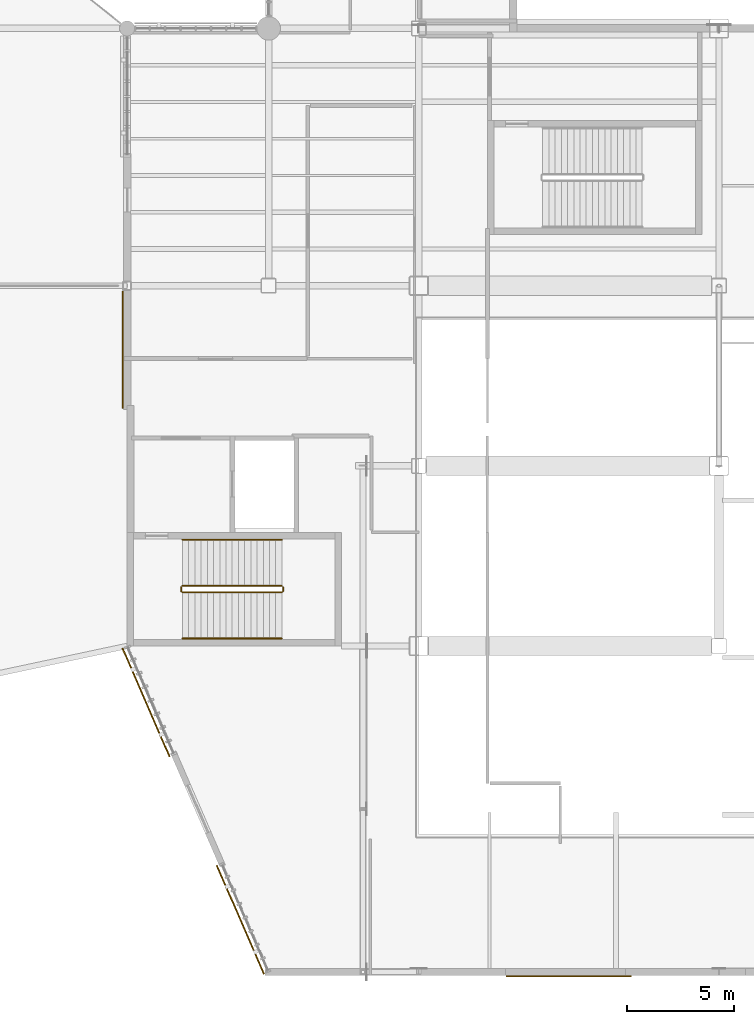
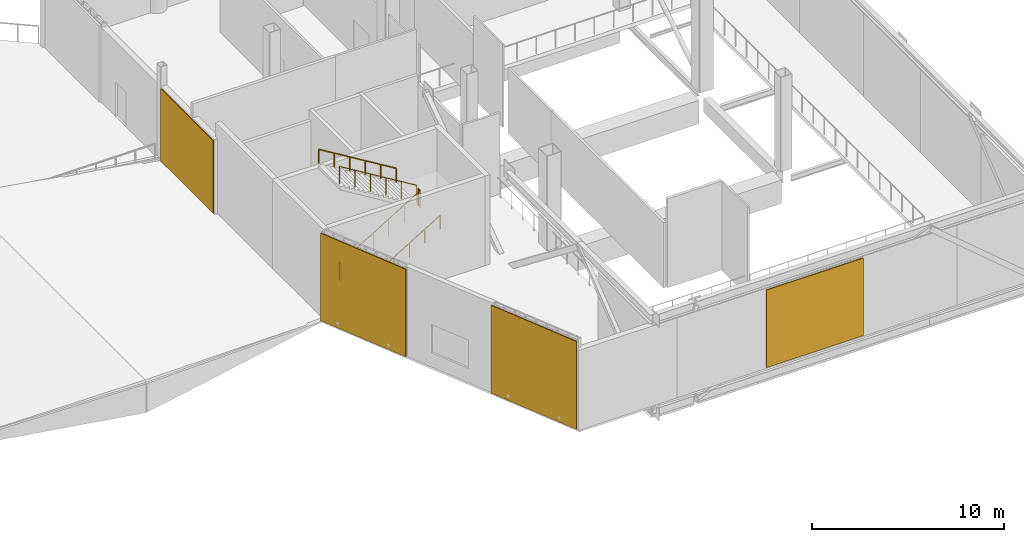
# One storey, part 125 of 135: 6 railings, 2 coverings, 2 shading devices.
"""IFC4 building model written with IfcOpenShell, lengths in metres."""

from ifc_helpers import new_model, si_unit, direction, frame, origin, origin_2d, place, context, subcontext, project, spatial, rectangle, circle, extrude, material, layer, layer_set, type_object, element, save


model = new_model("IFC4")

# Units and contexts
model_context = context("Model", 3, precision=1e-05, world=origin(), true_north=direction((0.0, 1.0)))
body_context = subcontext(model_context, "Body", "Model", "MODEL_VIEW")
ifc_project = project(units=[si_unit("LENGTHUNIT", "METRE"), si_unit("AREAUNIT", "SQUARE_METRE"), si_unit("VOLUMEUNIT", "CUBIC_METRE"), si_unit("PLANEANGLEUNIT", "RADIAN"), si_unit("MASSUNIT", "GRAM", prefix="KILO")], contexts=[model_context])

# Site, building, storey
site_placement = place(None, origin())
site = spatial("IfcSite", under=ifc_project, at=site_placement, CompositionType="ELEMENT")
building_placement = place(site_placement, origin())
building = spatial("IfcBuilding", under=site, at=building_placement, Name="Larkvane Passage Sports Hall", CompositionType="ELEMENT")
storey_placement = place(building_placement, frame((0.0, 0.0, 10.800048828125)))
storey = spatial("IfcBuildingStorey", under=building, at=storey_placement, Name="L02", CompositionType="ELEMENT", Elevation=10.800048828125)

# Coverings
ifc_material_1 = material(Name="Perforated anodised aluminium 5052-H32", Category="aluminium")
ifc_layer_1 = layer(ifc_material_1, 0.050048828125)
ifc_layer_set_1 = layer_set([ifc_layer_1], Name="Perforated anodised aluminium 5052-H32")
covering_type = type_object("IfcCoveringType", Name="COV-MESH-VEIL", PredefinedType="CLADDING", material=ifc_layer_set_1)
covering_1_placement = place(storey_placement, frame((138.60009765625, 7.402587890625, 0.0751953125), z_axis=(0.0, 0.0, 1.0), x_axis=(-1.0, 0.0, 0.0)))
element("IfcCovering", 1, at=covering_1_placement, inside=storey, type_object=covering_type, Name="Perforated cladding cassette L02-128", PredefinedType="CLADDING", context=body_context, shape_type="SweptSolid", body=[
    extrude(rectangle(XDim=5.831298828125, YDim=0.050048828125, at=origin_2d()), origin(), (0.0, 0.0, 1.0), 4.929931640625),
])
covering_2_placement = place(storey_placement, frame((117.802490234375, 36.619140625, 0.074951171875), z_axis=(0.0, 0.0, 1.0), x_axis=(0.0, 1.0, 0.0)))
element("IfcCovering", 2, at=covering_2_placement, inside=storey, type_object=covering_type, Name="Perforated cladding cassette L02-132", PredefinedType="CLADDING", context=body_context, shape_type="SweptSolid", body=[
    extrude(rectangle(XDim=5.469482421875, YDim=0.050048828125, at=origin_2d()), origin(), (0.0, 0.0, 1.0), 4.60791015625),
])

# Railings
ifc_material_2 = material(Name="Steel S355JR", Category="steel")
railing_type_1 = type_object("IfcRailingType", Name="RL-GUARD-1120", PredefinedType="GUARDRAIL", material=ifc_material_2)
railing_1_placement = place(storey_placement, frame((120.580078125, 25.300048828125, 0.176513671875)))
element("IfcRailing", 3, at=railing_1_placement, inside=storey, type_object=railing_type_1, Name="L02 ST-05 stair guard 1", PredefinedType="GUARDRAIL", context=body_context, shape_type="SweptSolid", body=[
    extrude(circle(Radius=0.02392578125, at=origin_2d()), frame((0.001708984375, 0.0, 1.09716796875), z_axis=(0.854263648073, 0.0, 0.51983999421), x_axis=(0.0, 1.0, 0.0)), (0.0, 0.0, 1.0), 5.427490234375),
    extrude(circle(Radius=0.02099609375, at=origin_2d()), origin(), (0.0, 0.0, 1.0), 1.072021484375),
    extrude(circle(Radius=0.02099609375, at=origin_2d()), frame((0.927978515625, 0.0, 0.564697265625)), (0.0, 0.0, 1.0), 1.072021484375),
    extrude(circle(Radius=0.02099609375, at=origin_2d()), frame((1.85595703125, 0.0, 1.12939453125)), (0.0, 0.0, 1.0), 1.072021484375),
    extrude(circle(Radius=0.02099609375, at=origin_2d()), frame((2.783935546875, 0.0, 1.694091796875)), (0.0, 0.0, 1.0), 1.072021484375),
    extrude(circle(Radius=0.02099609375, at=origin_2d()), frame((3.7119140625, 0.0, 2.2587890625)), (0.0, 0.0, 1.0), 1.072021484375),
    extrude(circle(Radius=0.02099609375, at=origin_2d()), frame((4.639892578125, 0.0, 2.823486328125)), (0.0, 0.0, 1.0), 1.072021484375),
])
railing_2_placement = place(storey_placement, frame((125.27001953125, 25.35009765625, 3.0)))
element("IfcRailing", 4, at=railing_2_placement, inside=storey, type_object=railing_type_1, Name="L02 ST-05 stair guard 2", PredefinedType="GUARDRAIL", context=body_context, shape_type="SweptSolid", body=[
    extrude(circle(Radius=0.02392578125, at=origin_2d()), frame((0.0, 0.001953125, 1.09619140625), z_axis=(0.0, 1.0, 0.0), x_axis=(-1.0, 0.0, 0.0)), (0.0, 0.0, 1.0), 0.196044921875),
    extrude(circle(Radius=0.02099609375, at=origin_2d()), origin(), (0.0, 0.0, 1.0), 1.072021484375),
    extrude(circle(Radius=0.02099609375, at=origin_2d()), frame((0.0, 0.199951171875, 0.0)), (0.0, 0.0, 1.0), 1.072021484375),
])
railing_3_placement = place(storey_placement, frame((125.219970703125, 25.60009765625, 3.176513671875)))
element("IfcRailing", 5, at=railing_3_placement, inside=storey, type_object=railing_type_1, Name="L02 ST-05 stair guard 3", PredefinedType="GUARDRAIL", context=body_context, shape_type="SweptSolid", body=[
    extrude(circle(Radius=0.02392578125, at=origin_2d()), frame((-0.001708984375, 0.0, 1.09716796875), z_axis=(-0.854263648073, 0.0, 0.51983999421), x_axis=(0.0, -1.0, 0.0)), (0.0, 0.0, 1.0), 5.427490234375),
    extrude(circle(Radius=0.02099609375, at=origin_2d()), origin(), (0.0, 0.0, 1.0), 1.072021484375),
    extrude(circle(Radius=0.02099609375, at=origin_2d()), frame((-0.927978515625, 0.0, 0.564697265625)), (0.0, 0.0, 1.0), 1.072021484375),
    extrude(circle(Radius=0.02099609375, at=origin_2d()), frame((-1.85595703125, 0.0, 1.12939453125)), (0.0, 0.0, 1.0), 1.072021484375),
    extrude(circle(Radius=0.02099609375, at=origin_2d()), frame((-2.783935546875, 0.0, 1.694091796875)), (0.0, 0.0, 1.0), 1.072021484375),
    extrude(circle(Radius=0.02099609375, at=origin_2d()), frame((-3.7119140625, 0.0, 2.2587890625)), (0.0, 0.0, 1.0), 1.072021484375),
    extrude(circle(Radius=0.02099609375, at=origin_2d()), frame((-4.639892578125, 0.0, 2.823486328125)), (0.0, 0.0, 1.0), 1.072021484375),
])
railing_4_placement = place(storey_placement, frame((120.530029296875, 25.35009765625, 0.0)))
element("IfcRailing", 6, at=railing_4_placement, inside=storey, type_object=railing_type_1, Name="L02 ST-05 stair guard 4", PredefinedType="GUARDRAIL", context=body_context, shape_type="SweptSolid", body=[
    extrude(circle(Radius=0.02392578125, at=origin_2d()), frame((0.0, 0.001953125, 1.09619140625), z_axis=(0.0, 1.0, 0.0), x_axis=(-1.0, 0.0, 0.0)), (0.0, 0.0, 1.0), 0.196044921875),
    extrude(circle(Radius=0.02099609375, at=origin_2d()), origin(), (0.0, 0.0, 1.0), 1.072021484375),
    extrude(circle(Radius=0.02099609375, at=origin_2d()), frame((0.0, 0.199951171875, 0.0)), (0.0, 0.0, 1.0), 1.072021484375),
])
ifc_material_3 = material(Name="Stainless steel S355JR", Category="steel")
railing_type_2 = type_object("IfcRailingType", Name="RL-HAND-920", PredefinedType="HANDRAIL", material=ifc_material_3)
railing_5_placement = place(storey_placement, frame((120.580078125, 23.14990234375, 0.176513671875)))
element("IfcRailing", 7, at=railing_5_placement, inside=storey, type_object=railing_type_2, Name="L02 ST-05 stair handrail 1", PredefinedType="HANDRAIL", context=body_context, shape_type="SweptSolid", body=[
    extrude(circle(Radius=0.02392578125, at=origin_2d()), frame((0.001708984375, 0.0, 0.876953125), z_axis=(0.854263648073, 0.0, 0.51983999421), x_axis=(0.0, 1.0, 0.0)), (0.0, 0.0, 1.0), 5.427490234375),
    extrude(circle(Radius=0.02099609375, at=origin_2d()), origin(), (0.0, 0.0, 1.0), 0.851806640625),
    extrude(circle(Radius=0.02099609375, at=origin_2d()), frame((0.927978515625, 0.0, 0.564697265625)), (0.0, 0.0, 1.0), 0.851806640625),
    extrude(circle(Radius=0.02099609375, at=origin_2d()), frame((1.85595703125, 0.0, 1.12939453125)), (0.0, 0.0, 1.0), 0.851806640625),
    extrude(circle(Radius=0.02099609375, at=origin_2d()), frame((2.783935546875, 0.0, 1.694091796875)), (0.0, 0.0, 1.0), 0.851806640625),
    extrude(circle(Radius=0.02099609375, at=origin_2d()), frame((3.7119140625, 0.0, 2.2587890625)), (0.0, 0.0, 1.0), 0.851806640625),
    extrude(circle(Radius=0.02099609375, at=origin_2d()), frame((4.639892578125, 0.0, 2.823486328125)), (0.0, 0.0, 1.0), 0.851806640625),
])
railing_6_placement = place(storey_placement, frame((125.219970703125, 27.75, 3.176513671875)))
element("IfcRailing", 8, at=railing_6_placement, inside=storey, type_object=railing_type_2, Name="L02 ST-05 stair handrail 2", PredefinedType="HANDRAIL", context=body_context, shape_type="SweptSolid", body=[
    extrude(circle(Radius=0.02392578125, at=origin_2d()), frame((-0.001708984375, 0.0, 0.876953125), z_axis=(-0.854263648073, 0.0, 0.51983999421), x_axis=(0.0, -1.0, 0.0)), (0.0, 0.0, 1.0), 5.427490234375),
    extrude(circle(Radius=0.02099609375, at=origin_2d()), origin(), (0.0, 0.0, 1.0), 0.851806640625),
    extrude(circle(Radius=0.02099609375, at=origin_2d()), frame((-0.927978515625, 0.0, 0.564697265625)), (0.0, 0.0, 1.0), 0.851806640625),
    extrude(circle(Radius=0.02099609375, at=origin_2d()), frame((-1.85595703125, 0.0, 1.12939453125)), (0.0, 0.0, 1.0), 0.851806640625),
    extrude(circle(Radius=0.02099609375, at=origin_2d()), frame((-2.783935546875, 0.0, 1.694091796875)), (0.0, 0.0, 1.0), 0.851806640625),
    extrude(circle(Radius=0.02099609375, at=origin_2d()), frame((-3.7119140625, 0.0, 2.2587890625)), (0.0, 0.0, 1.0), 0.851806640625),
    extrude(circle(Radius=0.02099609375, at=origin_2d()), frame((-4.639892578125, 0.0, 2.823486328125)), (0.0, 0.0, 1.0), 0.851806640625),
])

# Shading devices
ifc_layer_2 = layer(ifc_material_1, 0.06005859375)
ifc_layer_set_2 = layer_set([ifc_layer_2], Name="Perforated anodised aluminium 5052-H32")
shading_device_type = type_object("IfcShadingDeviceType", Name="SHD-VEIL-PERF", PredefinedType="SHUTTER", material=ifc_layer_set_2)
shading_device_1_placement = place(storey_placement, frame((123.27978515625, 10.037841796875, 0.059814453125), z_axis=(0.0, 0.0, 1.0), x_axis=(-0.398284741879, 0.917261829788, 0.0)))
element("IfcShadingDevice", 9, at=shading_device_1_placement, inside=storey, type_object=shading_device_type, Name="Solar veil screen L02-052", PredefinedType="SHUTTER", context=body_context, shape_type="SweptSolid", body=[
    extrude(rectangle(XDim=5.523681640625, YDim=0.06005859375, at=origin_2d()), origin(), (0.0, 0.0, 1.0), 5.580078125),
])
shading_device_2_placement = place(storey_placement, frame((118.882080078125, 20.166015625, 0.059814453125), z_axis=(0.0, 0.0, 1.0), x_axis=(-0.398284741879, 0.917261829788, 0.0)))
element("IfcShadingDevice", 10, at=shading_device_2_placement, inside=storey, type_object=shading_device_type, Name="Solar veil screen L02-053", PredefinedType="SHUTTER", context=body_context, shape_type="SweptSolid", body=[
    extrude(rectangle(XDim=5.5126953125, YDim=0.06005859375, at=origin_2d()), origin(), (0.0, 0.0, 1.0), 5.56005859375),
])

save(model, "model.ifc")
